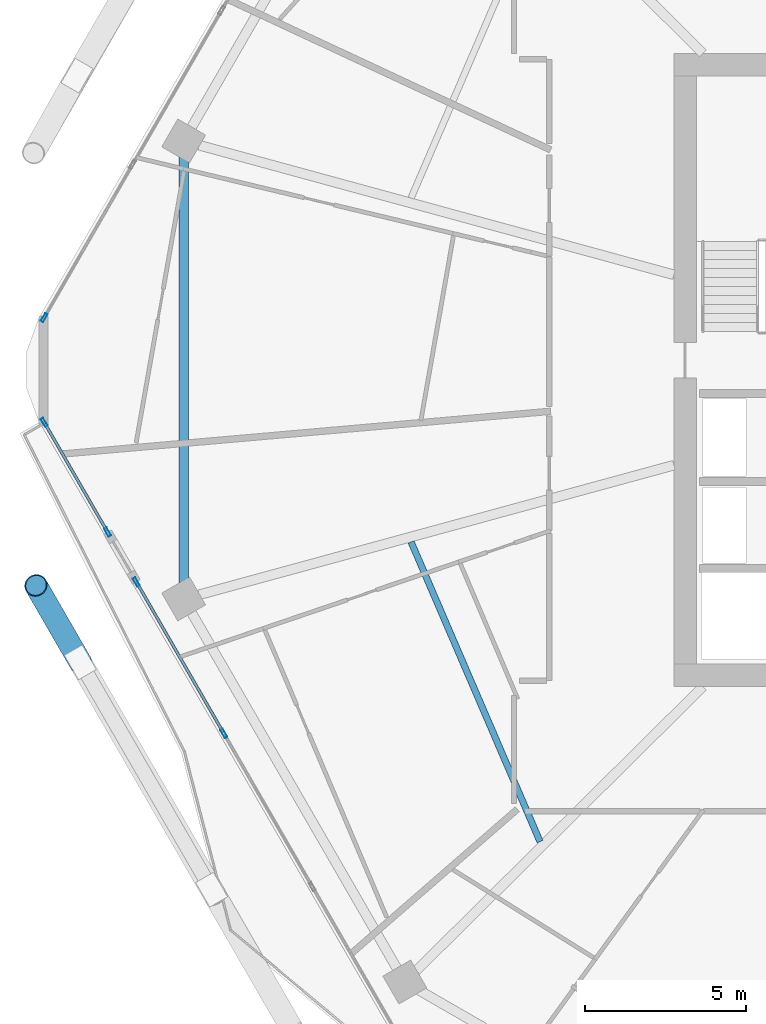
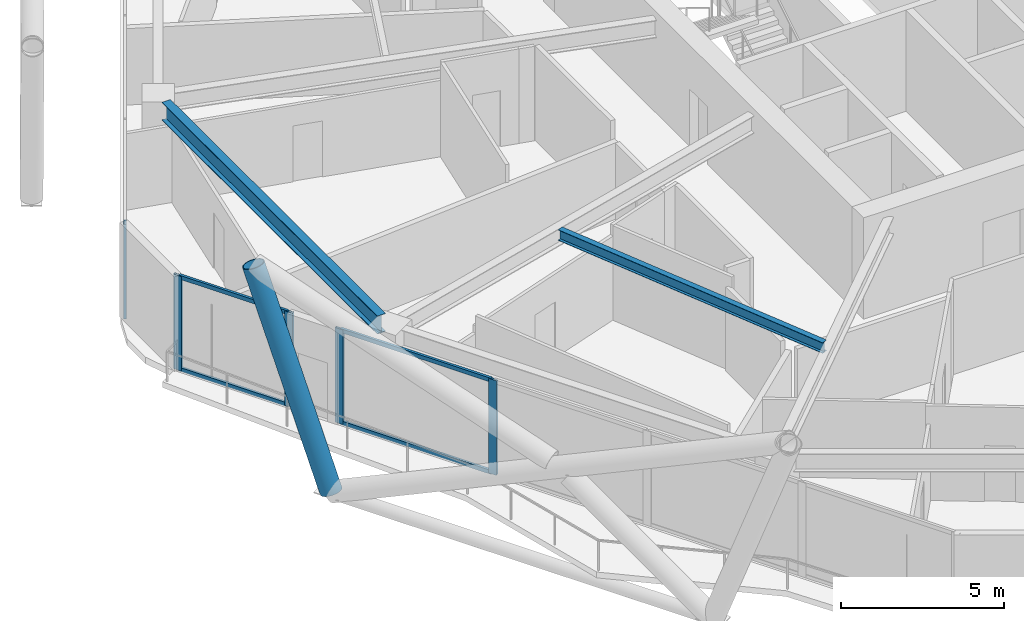
# One storey, part 5 of 28: 10 members, 2 beams, 3 elements without a shape of their own.
"""IFC4 building model written with IfcOpenShell, lengths in metres."""

import ifcopenshell
import ifcopenshell.guid

model = None  # the IFC model being written
_history = None  # IfcOwnerHistory: only IFC2X3 demands one
_inside = {}  # id of a spatial element -> (the spatial element, [elements in it])
_under = {}  # id of a project, library or spatial element -> (it, [spatial elements below it])
_declared = {}  # id of a project -> (the project, [libraries it declares])
_typed = {}  # id of a type object -> (the type object, [elements of that type])
_made_of = {}  # id of a material, layer set ... -> (it, [elements and type objects made of it])


def new_model(schema):
    """Start an empty IFC model of exactly this schema.

    Asked for "IFC4X3", IfcOpenShell would pick the latest addendum, in which some entities
    have other attributes; the version numbers below select the first issue.
    IFC2X3 requires an IfcOwnerHistory on every rooted entity: one is made here for all.
    """
    global model, _history
    if schema == "IFC4X3":
        model = ifcopenshell.file(schema_version=(4, 3, 0, 0))
    else:
        model = ifcopenshell.file(schema=schema)
    _inside.clear()
    _under.clear()
    _declared.clear()
    _typed.clear()
    _made_of.clear()
    _history = None
    if model.schema == "IFC2X3":
        org = make("IfcOrganization", Name="unknown")
        user = make(
            "IfcPersonAndOrganization",
            ThePerson=make("IfcPerson", FamilyName="unknown"),
            TheOrganization=org,
        )
        app = make(
            "IfcApplication",
            ApplicationDeveloper=org,
            Version="unknown",
            ApplicationFullName="unknown",
            ApplicationIdentifier="unknown",
        )
        _history = make(
            "IfcOwnerHistory",
            OwningUser=user,
            OwningApplication=app,
            ChangeAction="ADDED",
            CreationDate=0,
        )
    return model


def make(cls, **values):
    """One entity of the class cls with the attributes given. An attribute that is None is left unset."""
    return model.create_entity(
        cls, **{name: value for name, value in values.items() if value is not None}
    )


def rooted(cls, **values):
    """An entity with a GlobalId (a new one), such as an element, a storey or a relation."""
    return make(cls, GlobalId=ifcopenshell.guid.new(), OwnerHistory=_history, **values)


def si_unit(unit_type, name, prefix=None):
    """IfcSIUnit, for example si_unit("LENGTHUNIT", "METRE", prefix="MILLI")."""
    return make("IfcSIUnit", UnitType=unit_type, Prefix=prefix, Name=name)


def assignment(units):
    """IfcUnitAssignment: the units of a project."""
    return None if units is None else make("IfcUnitAssignment", Units=units)


def point(xyz):
    """IfcCartesianPoint."""
    return None if xyz is None else make("IfcCartesianPoint", Coordinates=xyz)


def direction(xyz):
    """IfcDirection."""
    return None if xyz is None else make("IfcDirection", DirectionRatios=xyz)


def frame(location, z_axis=None, x_axis=None):
    """IfcAxis2Placement3D, a coordinate frame: its origin and axes. An axis left out is left unset."""
    return make(
        "IfcAxis2Placement3D",
        Location=point(location),
        Axis=direction(z_axis),
        RefDirection=direction(x_axis),
    )


def frame_2d(location, x_axis=None):
    """IfcAxis2Placement2D, a coordinate frame in the plane: its origin and x axis."""
    return make(
        "IfcAxis2Placement2D", Location=point(location), RefDirection=direction(x_axis)
    )


def origin():
    """The frame at (0, 0, 0) with its axes left unset."""
    return frame((0.0, 0.0, 0.0))


def origin_2d():
    """The frame at (0, 0) in the plane with its x axis left unset."""
    return frame_2d((0.0, 0.0))


def place(relative_to, where):
    """IfcLocalPlacement: puts the frame where relative to a parent placement (None: the world)."""
    return make(
        "IfcLocalPlacement", PlacementRelTo=relative_to, RelativePlacement=where
    )


def context(
    kind, dimensions, precision=None, world=None, true_north=None, identifier=None
):
    """IfcGeometricRepresentationContext, for example the 3D "Model" context."""
    return make(
        "IfcGeometricRepresentationContext",
        ContextIdentifier=identifier,
        ContextType=kind,
        CoordinateSpaceDimension=dimensions,
        Precision=precision,
        WorldCoordinateSystem=world,
        TrueNorth=true_north,
    )


def subcontext(parent, identifier, kind, view, scale=None):
    """IfcGeometricRepresentationSubContext, for example "Body" below "Model"."""
    return make(
        "IfcGeometricRepresentationSubContext",
        ContextIdentifier=identifier,
        ContextType=kind,
        ParentContext=parent,
        TargetScale=scale,
        TargetView=view,
    )


def project(units=None, contexts=None):
    """IfcProject with its units and contexts."""
    return rooted(
        "IfcProject",
        Name="project",
        RepresentationContexts=contexts,
        UnitsInContext=assignment(units),
    )


def spatial(cls, under=None, at=None, **own):
    """A site, building, storey or space (cls), placed at a placement, below another one or the project."""
    s = rooted(cls, ObjectPlacement=at, **own)
    if under is not None:
        _under.setdefault(under.id(), (under, []))[1].append(s)
    return s


def profile(cls, at=None, kind="AREA", **sizes):
    """A parametric profile (cls). Its sizes go by their IFC names, for example OverallWidth=200.0."""
    return make(cls, ProfileType=kind, Position=at, **sizes)


def hollow_rectangle(**sizes):
    """IfcRectangleHollowProfileDef."""
    return profile("IfcRectangleHollowProfileDef", **sizes)


def hollow_circle(**sizes):
    """IfcCircleHollowProfileDef."""
    return profile("IfcCircleHollowProfileDef", **sizes)


def i_section(**sizes):
    """IfcIShapeProfileDef."""
    return profile("IfcIShapeProfileDef", **sizes)


def extrude(swept, where, along, depth):
    """IfcExtrudedAreaSolid: the profile swept, set in the frame where, extruded along a direction by depth."""
    return make(
        "IfcExtrudedAreaSolid",
        SweptArea=swept,
        Position=where,
        ExtrudedDirection=direction(along),
        Depth=depth,
    )


def shape(context_of_items, identifier, shape_type, items):
    """IfcShapeRepresentation: the items that make up one representation, for example the "Body"."""
    return make(
        "IfcShapeRepresentation",
        ContextOfItems=context_of_items,
        RepresentationIdentifier=identifier,
        RepresentationType=shape_type,
        Items=items,
    )


def material(Name=None, Category=None):
    """IfcMaterial."""
    return make("IfcMaterial", Name=Name, Category=Category)


def material_profile(
    of_material, cross_section, Name=None, Category=None, Priority=None
):
    """IfcMaterialProfile: a cross section and its material."""
    return make(
        "IfcMaterialProfile",
        Name=Name,
        Material=of_material,
        Profile=cross_section,
        Priority=Priority,
        Category=Category,
    )


def profile_set(profiles, Name=None, composite=None):
    """IfcMaterialProfileSet."""
    return make(
        "IfcMaterialProfileSet",
        Name=Name,
        MaterialProfiles=profiles,
        CompositeProfile=composite,
    )


def made_of(thing, what):
    """Note that an element or type object is made of a material, layer set ...; save() writes the relation."""
    if what is not None:
        _made_of.setdefault(what.id(), (what, []))[1].append(thing)
    return thing


def type_object(cls, material=None, **own):
    """A type object (cls), such as IfcWallType, which elements share."""
    return made_of(rooted(cls, **own), material)


def element(
    cls,
    number,
    at=None,
    inside=None,
    cuts=None,
    type_object=None,
    material=None,
    context=None,
    identifier="Body",
    shape_type=None,
    held_by="IfcProductDefinitionShape",
    body=None,
    shapes=None,
    **own,
):
    """One element of the class cls, such as IfcWall. Its Tag is "e" and its number.

    at: its placement. inside: the storey or other place that contains it. cuts: it is an
    opening in that element (IfcRelVoidsElement). A single representation is given by context,
    identifier, shape_type and body (its items); several are given by shapes. held_by: the class
    of the entity that holds the representations. save() writes the other relations.
    """
    e = rooted(cls, Tag="e%d" % number, ObjectPlacement=at, **own)
    if body is not None:
        shapes = [shape(context, identifier, shape_type, body)]
    if shapes is not None:
        e.Representation = make(held_by, Representations=shapes)
    if inside is not None:
        _inside.setdefault(inside.id(), (inside, []))[1].append(e)
    if cuts is not None:
        rooted(
            "IfcRelVoidsElement", RelatingBuildingElement=cuts, RelatedOpeningElement=e
        )
    if type_object is not None:
        _typed.setdefault(type_object.id(), (type_object, []))[1].append(e)
    return made_of(e, material)


def aggregate(whole, parts):
    """IfcRelAggregates: a whole, such as a stair, and the parts it consists of."""
    return rooted("IfcRelAggregates", RelatingObject=whole, RelatedObjects=parts)


def save(model, path):
    """Write the relations noted so far, then the file.

    IfcRelAggregates (storeys below a building ...), IfcRelContainedInSpatialStructure (elements
    in a storey), IfcRelDefinesByType, IfcRelAssociatesMaterial and IfcRelDeclares: one each for
    every whole, place, type object, material and project.
    """
    for whole, parts in _under.values():
        aggregate(whole, parts)
    for where, things in _inside.values():
        rooted(
            "IfcRelContainedInSpatialStructure",
            RelatedElements=things,
            RelatingStructure=where,
        )
    for kind, things in _typed.values():
        rooted("IfcRelDefinesByType", RelatedObjects=things, RelatingType=kind)
    for what, things in _made_of.values():
        rooted("IfcRelAssociatesMaterial", RelatedObjects=things, RelatingMaterial=what)
    for by, libraries in _declared.values():
        rooted("IfcRelDeclares", RelatingContext=by, RelatedDefinitions=libraries)
    model.write(path)


model = new_model("IFC4")

# Units and contexts
model_context = context("Model", 3, precision=1e-05, world=origin(), true_north=direction((0.0, 1.0)))
body_context = subcontext(model_context, "Body", "Model", "MODEL_VIEW")
ifc_project = project(units=[si_unit("LENGTHUNIT", "METRE"), si_unit("AREAUNIT", "SQUARE_METRE"), si_unit("VOLUMEUNIT", "CUBIC_METRE"), si_unit("PLANEANGLEUNIT", "RADIAN"), si_unit("MASSUNIT", "GRAM", prefix="KILO")], contexts=[model_context])

# Site, building, storey
site_placement = place(None, origin())
site = spatial("IfcSite", under=ifc_project, at=site_placement, CompositionType="ELEMENT")
building_placement = place(site_placement, origin())
building = spatial("IfcBuilding", under=site, at=building_placement, Name="Zuhravey Tower", CompositionType="ELEMENT")
storey_placement = place(building_placement, frame((0.0, 0.0, 169.39990234375)))
storey = spatial("IfcBuildingStorey", under=building, at=storey_placement, Name="L42", CompositionType="ELEMENT", Elevation=169.39990234375)

# Curtain wall, members
ifc_material_1 = material(Name="Thermally broken anodised aluminium", Category="aluminium")
curtain_wall_type = type_object("IfcCurtainWallType", Name="Zone 1-2 Residential Curtain Wall CW3", PredefinedType="NOTDEFINED", material=ifc_material_1)
curtain_wall_1_placement = place(storey_placement, origin())
curtain_wall_1 = element("IfcCurtainWall", 1, at=curtain_wall_1_placement, inside=storey, type_object=curtain_wall_type, Name="L42 CW3 CW-L42-F4-1", PredefinedType="NOTDEFINED")
ifc_material_2 = material(Name="Anodised aluminium", Category="aluminium")
ifc_material_profile_1 = material_profile(ifc_material_2, hollow_rectangle(XDim=0.090087890625, YDim=0.284912109375, WallThickness=0.0048828125, at=origin_2d()), Name="ALU-RHS-90x285x5")
ifc_profile_set_1 = profile_set([ifc_material_profile_1], Name="Anodised aluminium")
member_type_1 = type_object("IfcMemberType", Name="Curtain-Wall Mullion 90x180", PredefinedType="MULLION", material=ifc_profile_set_1)
member_1_placement = place(storey_placement, frame((11.144775390625, 20.684326171875, 0.0), z_axis=(0.0, 0.0, 1.0), x_axis=(-0.866025234217, -0.500000293699, 0.0)))
member_1 = element("IfcMember", 2, at=member_1_placement, type_object=member_type_1, Name="CW3 mullion 4", PredefinedType="MULLION", context=body_context, shape_type="SweptSolid", body=[
    extrude(hollow_rectangle(XDim=0.090087890625, YDim=0.284912109375, WallThickness=0.0048828125, at=origin_2d()), origin(), (0.0, 0.0, 1.0), 3.550048828125),
])
member_2_placement = place(storey_placement, frame((8.419189453125, 25.4052734375, 0.0), z_axis=(0.0, 0.0, 1.0), x_axis=(-0.866025234217, -0.500000293699, 0.0)))
member_2 = element("IfcMember", 3, at=member_2_placement, type_object=member_type_1, Name="CW3 mullion 5", PredefinedType="MULLION", context=body_context, shape_type="SweptSolid", body=[
    extrude(hollow_rectangle(XDim=0.090087890625, YDim=0.284912109375, WallThickness=0.0048828125, at=origin_2d()), origin(), (0.0, 0.0, 1.0), 3.550048828125),
])

curtain_wall_2_placement = place(storey_placement, origin())
curtain_wall_2 = element("IfcCurtainWall", 4, at=curtain_wall_2_placement, inside=storey, type_object=curtain_wall_type, Name="L42 CW3 CW-L42-F4-2", PredefinedType="NOTDEFINED")
member_3_placement = place(storey_placement, frame((7.524169921875, 26.95556640625, 0.0), z_axis=(0.0, 0.0, 1.0), x_axis=(-0.866020984961, -0.500007653549, 0.0)))
member_3 = element("IfcMember", 5, at=member_3_placement, type_object=member_type_1, Name="CW3 mullion 1", PredefinedType="MULLION", context=body_context, shape_type="SweptSolid", body=[
    extrude(hollow_rectangle(XDim=0.090087890625, YDim=0.284912109375, WallThickness=0.0048828125, at=origin_2d()), origin(), (0.0, 0.0, 1.0), 3.550048828125),
])
member_4_placement = place(storey_placement, frame((5.55078125, 30.37353515625, 0.0), z_axis=(0.0, 0.0, 1.0), x_axis=(-0.866020984961, -0.500007653549, 0.0)))
member_4 = element("IfcMember", 6, at=member_4_placement, type_object=member_type_1, Name="CW3 mullion 2", PredefinedType="MULLION", context=body_context, shape_type="SweptSolid", body=[
    extrude(hollow_rectangle(XDim=0.090087890625, YDim=0.284912109375, WallThickness=0.0048828125, at=origin_2d()), origin(), (0.0, 0.0, 1.0), 3.550048828125),
])

# Curtain wall, member
curtain_wall_3_placement = place(storey_placement, origin())
curtain_wall_3 = element("IfcCurtainWall", 7, at=curtain_wall_3_placement, inside=storey, type_object=curtain_wall_type, Name="L42 CW3 CW-L42-F3-1", PredefinedType="NOTDEFINED")
member_5_placement = place(storey_placement, frame((5.55078125, 33.62646484375, 0.0), z_axis=(0.0, 0.0, 1.0), x_axis=(-0.866025138215, 0.500000459979, 0.0)))
member_5 = element("IfcMember", 8, at=member_5_placement, type_object=member_type_1, Name="CW3 mullion 1", PredefinedType="MULLION", context=body_context, shape_type="SweptSolid", body=[
    extrude(hollow_rectangle(XDim=0.090087890625, YDim=0.284912109375, WallThickness=0.0048828125, at=origin_2d()), origin(), (0.0, 0.0, 1.0), 3.550048828125),
])
aggregate(curtain_wall_3, [member_5])

# Member
ifc_material_profile_2 = material_profile(ifc_material_2, hollow_rectangle(XDim=0.090087890625, YDim=0.14990234375, WallThickness=0.0048828125, at=origin_2d()), Name="ALU-RHS-90x150x5")
ifc_profile_set_2 = profile_set([ifc_material_profile_2], Name="Anodised aluminium")
member_type_2 = type_object("IfcMemberType", Name="Curtain-Wall Transom 90x150", PredefinedType="USERDEFINED", material=ifc_profile_set_2)
member_6_placement = place(storey_placement, frame((11.122314453125, 20.723388671875, 0.045166015625), z_axis=(-0.499998380488, 0.866026338808, 0.0), x_axis=(-0.866026338808, -0.499998380488, 0.0)))
member_6 = element("IfcMember", 9, at=member_6_placement, type_object=member_type_2, Name="CW3 transom 4.1", ObjectType="TRANSOM", PredefinedType="USERDEFINED", context=body_context, shape_type="SweptSolid", body=[
    extrude(hollow_rectangle(XDim=0.090087890625, YDim=0.14990234375, WallThickness=0.0048828125, at=origin_2d()), origin(), (0.0, 0.0, 1.0), 5.361328125),
])

member_7_placement = place(storey_placement, frame((11.122314453125, 20.723388671875, 3.505126953125), z_axis=(-0.499998380488, 0.866026338808, 0.0), x_axis=(-0.866026338808, -0.499998380488, 0.0)))
member_7 = element("IfcMember", 10, at=member_7_placement, type_object=member_type_2, Name="CW3 transom 4.2", ObjectType="TRANSOM", PredefinedType="USERDEFINED", context=body_context, shape_type="SweptSolid", body=[
    extrude(hollow_rectangle(XDim=0.090087890625, YDim=0.14990234375, WallThickness=0.0048828125, at=origin_2d()), origin(), (0.0, 0.0, 1.0), 5.361328125),
])

aggregate(curtain_wall_1, [member_1, member_2, member_6, member_7])

member_8_placement = place(storey_placement, frame((7.501708984375, 26.99462890625, 0.045166015625), z_axis=(-0.500040276036, 0.866002149155, 0.0), x_axis=(-0.866002149155, -0.500040276036, 0.0)))
member_8 = element("IfcMember", 11, at=member_8_placement, type_object=member_type_2, Name="CW3 transom 1.1", ObjectType="TRANSOM", PredefinedType="USERDEFINED", context=body_context, shape_type="SweptSolid", body=[
    extrude(hollow_rectangle(XDim=0.090087890625, YDim=0.14990234375, WallThickness=0.0048828125, at=origin_2d()), origin(), (0.0, 0.0, 1.0), 3.856689453125),
])

member_9_placement = place(storey_placement, frame((7.501708984375, 26.99462890625, 3.505126953125), z_axis=(-0.500040276036, 0.866002149155, 0.0), x_axis=(-0.866002149155, -0.500040276036, 0.0)))
member_9 = element("IfcMember", 12, at=member_9_placement, type_object=member_type_2, Name="CW3 transom 1.2", ObjectType="TRANSOM", PredefinedType="USERDEFINED", context=body_context, shape_type="SweptSolid", body=[
    extrude(hollow_rectangle(XDim=0.090087890625, YDim=0.14990234375, WallThickness=0.0048828125, at=origin_2d()), origin(), (0.0, 0.0, 1.0), 3.856689453125),
])

aggregate(curtain_wall_2, [member_3, member_4, member_8, member_9])

ifc_material_3 = material(Name="Steel SM460", Category="steel")
ifc_material_profile_3 = material_profile(ifc_material_3, hollow_circle(Radius=0.355712890625, WallThickness=0.031982421875, at=origin_2d()), Name="CHS-711.2x32")
ifc_profile_set_3 = profile_set([ifc_material_profile_3], Name="Steel SM460")
member_type_3 = type_object("IfcMemberType", Name="Exoskeleton Zone 2 Diagrid CHS711x32", PredefinedType="BRACE", material=ifc_profile_set_3)
member_10_placement = place(storey_placement, frame((6.67431640625, 22.9072265625, -0.44384765625), z_axis=(-0.171428917165, 0.296929081792, 0.939385568734), x_axis=(-0.866029404905, -0.499993069792, 0.0)))
element("IfcMember", 13, at=member_10_placement, inside=storey, type_object=member_type_3, Name="L42 Face 4 Diagrid Brace 1", PredefinedType="BRACE", context=body_context, shape_type="SweptSolid", body=[
    extrude(hollow_circle(Radius=0.355712890625, WallThickness=0.031982421875, at=origin_2d()), origin(), (0.0, 0.0, 1.0), 8.0478515625),
])

# Beams
ifc_material_4 = material(Name="Steel SM355", Category="steel")
ifc_material_profile_4 = material_profile(ifc_material_4, i_section(OverallWidth=0.300048828125, OverallDepth=0.679931640625, WebThickness=0.012939453125, FlangeThickness=0.02197265625, at=origin_2d()), Name="H-680x300x13x22")
ifc_profile_set_4 = profile_set([ifc_material_profile_4], Name="Steel SM355")
beam_type_1 = type_object("IfcBeamType", Name="Perimeter Ring Beam H680x300", PredefinedType="BEAM", material=ifc_profile_set_4)
beam_1_placement = place(storey_placement, frame((9.892333984375, 38.62353515625, 3.210205078125), z_axis=(0.0, -1.0, 0.0), x_axis=(1.0, 0.0, 0.0)))
element("IfcBeam", 14, at=beam_1_placement, inside=storey, type_object=beam_type_1, Name="L42 PB2 BM-L42-PB-06", PredefinedType="BEAM", context=body_context, shape_type="SweptSolid", body=[
    extrude(i_section(OverallWidth=0.300048828125, OverallDepth=0.679931640625, WebThickness=0.012939453125, FlangeThickness=0.02197265625, at=origin_2d()), origin(), (0.0, 0.0, 1.0), 13.2470703125),
])
ifc_material_profile_5 = material_profile(ifc_material_4, i_section(OverallWidth=0.199951171875, OverallDepth=0.39990234375, WebThickness=0.008056640625, FlangeThickness=0.012939453125, at=origin_2d()), Name="H-400x200x8x13")
ifc_profile_set_5 = profile_set([ifc_material_profile_5], Name="Steel SM355")
beam_type_2 = type_object("IfcBeamType", Name="Secondary Floor Joist H400x200", PredefinedType="JOIST", material=ifc_profile_set_5)
beam_2_placement = place(storey_placement, frame((16.970458984375, 26.6474609375, 3.35009765625), z_axis=(0.395265853487, -0.918566766799, 0.0), x_axis=(0.918566766799, 0.395265853487, 0.0)))
element("IfcBeam", 15, at=beam_2_placement, inside=storey, type_object=beam_type_2, Name="L42 SJ2 BM-L42-SJ-07-1", PredefinedType="JOIST", context=body_context, shape_type="SweptSolid", body=[
    extrude(i_section(OverallWidth=0.199951171875, OverallDepth=0.39990234375, WebThickness=0.008056640625, FlangeThickness=0.012939453125, at=origin_2d()), origin(), (0.0, 0.0, 1.0), 10.150146484375),
])

save(model, "model.ifc")
